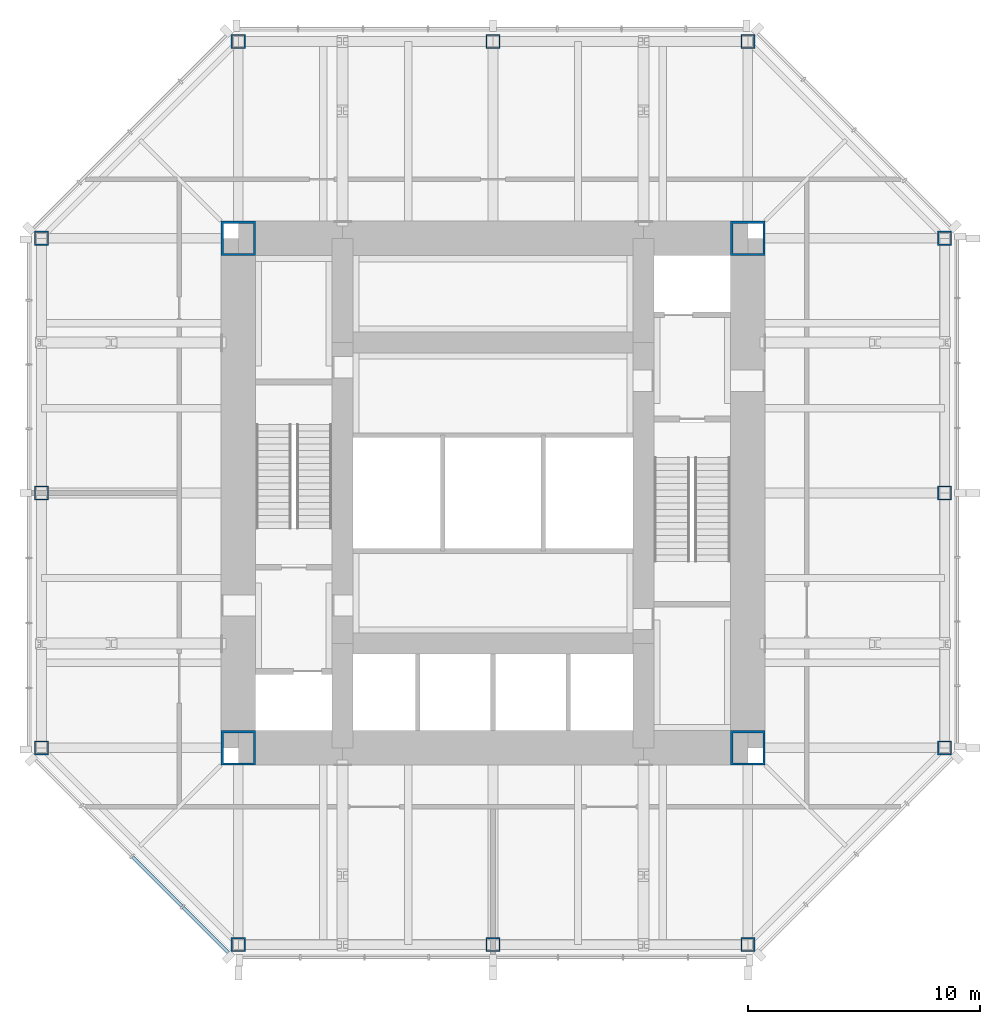
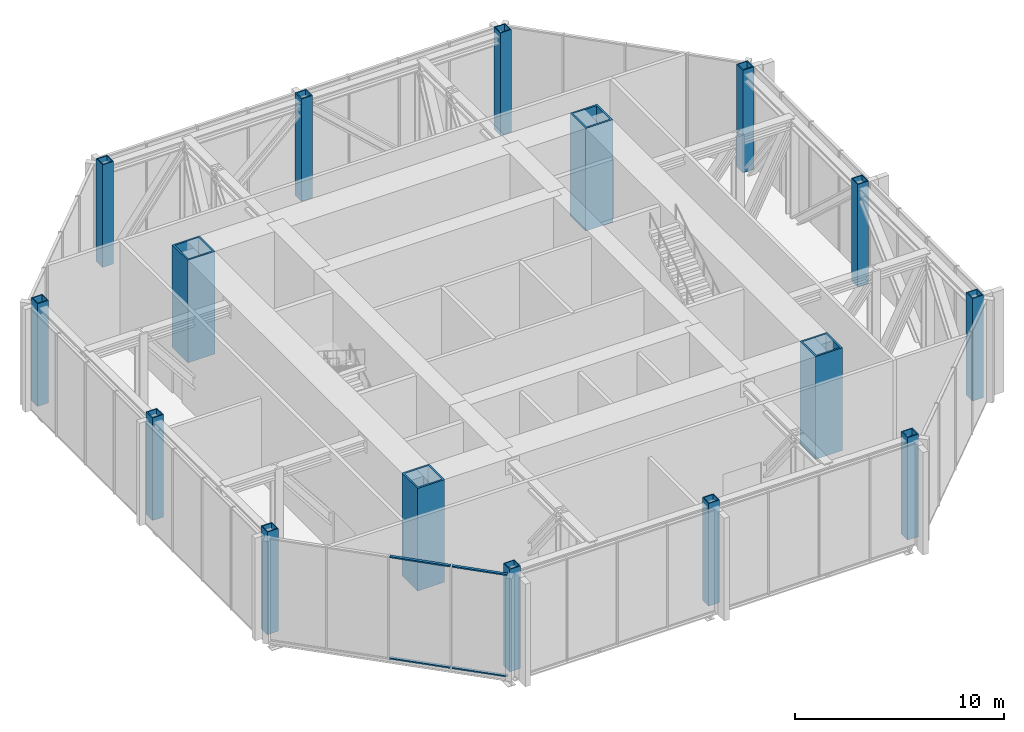
# One storey, part 1 of 11: 16 columns, 4 members, 1 element without a shape of its own.
"""IFC4 building model written with IfcOpenShell, lengths in metres."""

import ifcopenshell
import ifcopenshell.guid

model = None  # the IFC model being written
_history = None  # IfcOwnerHistory: only IFC2X3 demands one
_inside = {}  # id of a spatial element -> (the spatial element, [elements in it])
_under = {}  # id of a project, library or spatial element -> (it, [spatial elements below it])
_declared = {}  # id of a project -> (the project, [libraries it declares])
_typed = {}  # id of a type object -> (the type object, [elements of that type])
_made_of = {}  # id of a material, layer set ... -> (it, [elements and type objects made of it])


def new_model(schema):
    """Start an empty IFC model of exactly this schema.

    Asked for "IFC4X3", IfcOpenShell would pick the latest addendum, in which some entities
    have other attributes; the version numbers below select the first issue.
    IFC2X3 requires an IfcOwnerHistory on every rooted entity: one is made here for all.
    """
    global model, _history
    if schema == "IFC4X3":
        model = ifcopenshell.file(schema_version=(4, 3, 0, 0))
    else:
        model = ifcopenshell.file(schema=schema)
    _inside.clear()
    _under.clear()
    _declared.clear()
    _typed.clear()
    _made_of.clear()
    _history = None
    if model.schema == "IFC2X3":
        org = make("IfcOrganization", Name="unknown")
        user = make(
            "IfcPersonAndOrganization",
            ThePerson=make("IfcPerson", FamilyName="unknown"),
            TheOrganization=org,
        )
        app = make(
            "IfcApplication",
            ApplicationDeveloper=org,
            Version="unknown",
            ApplicationFullName="unknown",
            ApplicationIdentifier="unknown",
        )
        _history = make(
            "IfcOwnerHistory",
            OwningUser=user,
            OwningApplication=app,
            ChangeAction="ADDED",
            CreationDate=0,
        )
    return model


def make(cls, **values):
    """One entity of the class cls with the attributes given. An attribute that is None is left unset."""
    return model.create_entity(
        cls, **{name: value for name, value in values.items() if value is not None}
    )


def rooted(cls, **values):
    """An entity with a GlobalId (a new one), such as an element, a storey or a relation."""
    return make(cls, GlobalId=ifcopenshell.guid.new(), OwnerHistory=_history, **values)


def si_unit(unit_type, name, prefix=None):
    """IfcSIUnit, for example si_unit("LENGTHUNIT", "METRE", prefix="MILLI")."""
    return make("IfcSIUnit", UnitType=unit_type, Prefix=prefix, Name=name)


def assignment(units):
    """IfcUnitAssignment: the units of a project."""
    return None if units is None else make("IfcUnitAssignment", Units=units)


def point(xyz):
    """IfcCartesianPoint."""
    return None if xyz is None else make("IfcCartesianPoint", Coordinates=xyz)


def direction(xyz):
    """IfcDirection."""
    return None if xyz is None else make("IfcDirection", DirectionRatios=xyz)


def frame(location, z_axis=None, x_axis=None):
    """IfcAxis2Placement3D, a coordinate frame: its origin and axes. An axis left out is left unset."""
    return make(
        "IfcAxis2Placement3D",
        Location=point(location),
        Axis=direction(z_axis),
        RefDirection=direction(x_axis),
    )


def frame_2d(location, x_axis=None):
    """IfcAxis2Placement2D, a coordinate frame in the plane: its origin and x axis."""
    return make(
        "IfcAxis2Placement2D", Location=point(location), RefDirection=direction(x_axis)
    )


def origin():
    """The frame at (0, 0, 0) with its axes left unset."""
    return frame((0.0, 0.0, 0.0))


def origin_2d():
    """The frame at (0, 0) in the plane with its x axis left unset."""
    return frame_2d((0.0, 0.0))


def place(relative_to, where):
    """IfcLocalPlacement: puts the frame where relative to a parent placement (None: the world)."""
    return make(
        "IfcLocalPlacement", PlacementRelTo=relative_to, RelativePlacement=where
    )


def context(
    kind, dimensions, precision=None, world=None, true_north=None, identifier=None
):
    """IfcGeometricRepresentationContext, for example the 3D "Model" context."""
    return make(
        "IfcGeometricRepresentationContext",
        ContextIdentifier=identifier,
        ContextType=kind,
        CoordinateSpaceDimension=dimensions,
        Precision=precision,
        WorldCoordinateSystem=world,
        TrueNorth=true_north,
    )


def subcontext(parent, identifier, kind, view, scale=None):
    """IfcGeometricRepresentationSubContext, for example "Body" below "Model"."""
    return make(
        "IfcGeometricRepresentationSubContext",
        ContextIdentifier=identifier,
        ContextType=kind,
        ParentContext=parent,
        TargetScale=scale,
        TargetView=view,
    )


def project(units=None, contexts=None):
    """IfcProject with its units and contexts."""
    return rooted(
        "IfcProject",
        Name="project",
        RepresentationContexts=contexts,
        UnitsInContext=assignment(units),
    )


def spatial(cls, under=None, at=None, **own):
    """A site, building, storey or space (cls), placed at a placement, below another one or the project."""
    s = rooted(cls, ObjectPlacement=at, **own)
    if under is not None:
        _under.setdefault(under.id(), (under, []))[1].append(s)
    return s


def profile(cls, at=None, kind="AREA", **sizes):
    """A parametric profile (cls). Its sizes go by their IFC names, for example OverallWidth=200.0."""
    return make(cls, ProfileType=kind, Position=at, **sizes)


def rectangle(**sizes):
    """IfcRectangleProfileDef."""
    return profile("IfcRectangleProfileDef", **sizes)


def hollow_rectangle(**sizes):
    """IfcRectangleHollowProfileDef."""
    return profile("IfcRectangleHollowProfileDef", **sizes)


def extrude(swept, where, along, depth):
    """IfcExtrudedAreaSolid: the profile swept, set in the frame where, extruded along a direction by depth."""
    return make(
        "IfcExtrudedAreaSolid",
        SweptArea=swept,
        Position=where,
        ExtrudedDirection=direction(along),
        Depth=depth,
    )


def shape(context_of_items, identifier, shape_type, items):
    """IfcShapeRepresentation: the items that make up one representation, for example the "Body"."""
    return make(
        "IfcShapeRepresentation",
        ContextOfItems=context_of_items,
        RepresentationIdentifier=identifier,
        RepresentationType=shape_type,
        Items=items,
    )


def material(Name=None, Category=None):
    """IfcMaterial."""
    return make("IfcMaterial", Name=Name, Category=Category)


def material_profile(
    of_material, cross_section, Name=None, Category=None, Priority=None
):
    """IfcMaterialProfile: a cross section and its material."""
    return make(
        "IfcMaterialProfile",
        Name=Name,
        Material=of_material,
        Profile=cross_section,
        Priority=Priority,
        Category=Category,
    )


def profile_set(profiles, Name=None, composite=None):
    """IfcMaterialProfileSet."""
    return make(
        "IfcMaterialProfileSet",
        Name=Name,
        MaterialProfiles=profiles,
        CompositeProfile=composite,
    )


def made_of(thing, what):
    """Note that an element or type object is made of a material, layer set ...; save() writes the relation."""
    if what is not None:
        _made_of.setdefault(what.id(), (what, []))[1].append(thing)
    return thing


def type_object(cls, material=None, **own):
    """A type object (cls), such as IfcWallType, which elements share."""
    return made_of(rooted(cls, **own), material)


def element(
    cls,
    number,
    at=None,
    inside=None,
    cuts=None,
    type_object=None,
    material=None,
    context=None,
    identifier="Body",
    shape_type=None,
    held_by="IfcProductDefinitionShape",
    body=None,
    shapes=None,
    **own,
):
    """One element of the class cls, such as IfcWall. Its Tag is "e" and its number.

    at: its placement. inside: the storey or other place that contains it. cuts: it is an
    opening in that element (IfcRelVoidsElement). A single representation is given by context,
    identifier, shape_type and body (its items); several are given by shapes. held_by: the class
    of the entity that holds the representations. save() writes the other relations.
    """
    e = rooted(cls, Tag="e%d" % number, ObjectPlacement=at, **own)
    if body is not None:
        shapes = [shape(context, identifier, shape_type, body)]
    if shapes is not None:
        e.Representation = make(held_by, Representations=shapes)
    if inside is not None:
        _inside.setdefault(inside.id(), (inside, []))[1].append(e)
    if cuts is not None:
        rooted(
            "IfcRelVoidsElement", RelatingBuildingElement=cuts, RelatedOpeningElement=e
        )
    if type_object is not None:
        _typed.setdefault(type_object.id(), (type_object, []))[1].append(e)
    return made_of(e, material)


def aggregate(whole, parts):
    """IfcRelAggregates: a whole, such as a stair, and the parts it consists of."""
    return rooted("IfcRelAggregates", RelatingObject=whole, RelatedObjects=parts)


def save(model, path):
    """Write the relations noted so far, then the file.

    IfcRelAggregates (storeys below a building ...), IfcRelContainedInSpatialStructure (elements
    in a storey), IfcRelDefinesByType, IfcRelAssociatesMaterial and IfcRelDeclares: one each for
    every whole, place, type object, material and project.
    """
    for whole, parts in _under.values():
        aggregate(whole, parts)
    for where, things in _inside.values():
        rooted(
            "IfcRelContainedInSpatialStructure",
            RelatedElements=things,
            RelatingStructure=where,
        )
    for kind, things in _typed.values():
        rooted("IfcRelDefinesByType", RelatedObjects=things, RelatingType=kind)
    for what, things in _made_of.values():
        rooted("IfcRelAssociatesMaterial", RelatedObjects=things, RelatingMaterial=what)
    for by, libraries in _declared.values():
        rooted("IfcRelDeclares", RelatingContext=by, RelatedDefinitions=libraries)
    model.write(path)


model = new_model("IFC4")

# Units and contexts
model_context = context("Model", 3, precision=1e-05, world=origin(), true_north=direction((0.0, 1.0)))
body_context = subcontext(model_context, "Body", "Model", "MODEL_VIEW")
ifc_project = project(units=[si_unit("LENGTHUNIT", "METRE"), si_unit("AREAUNIT", "SQUARE_METRE"), si_unit("VOLUMEUNIT", "CUBIC_METRE"), si_unit("PLANEANGLEUNIT", "RADIAN"), si_unit("MASSUNIT", "GRAM", prefix="KILO")], contexts=[model_context])

# Site, building, storey
site_placement = place(None, origin())
site = spatial("IfcSite", under=ifc_project, at=site_placement, CompositionType="ELEMENT")
building_placement = place(site_placement, origin())
building = spatial("IfcBuilding", under=site, at=building_placement, Name="Trevanion Tower", CompositionType="ELEMENT")
storey_placement = place(building_placement, frame((0.0, 0.0, 257.199951171875)))
storey = spatial("IfcBuildingStorey", under=building, at=storey_placement, Name="L63", CompositionType="ELEMENT", Elevation=257.199951171875)

# Columns
ifc_material_1 = material(Name="Steel ASTM A572 Grade 50", Category="steel")
ifc_material_profile_1 = material_profile(ifc_material_1, hollow_rectangle(XDim=0.609619140625, YDim=0.609619140625, WallThickness=0.05078125, at=origin_2d()), Name="BOX24X24X2")
ifc_profile_set_1 = profile_set([ifc_material_profile_1], Name="Steel ASTM A572 Grade 50")
column_type_1 = type_object("IfcColumnType", Name="C5 BOX24X24X2", PredefinedType="COLUMN", material=ifc_profile_set_1)
for number, where, z_axis, x_axis, name in (
    (1, (-19.5, 0.0, 0.0), (0.0, 0.0, 1.0), (0.0, 1.0, 0.0), "C5 5/H L63"),
    (2, (-19.5, -11.0, 0.0), (0.0, 0.0, 1.0), (0.0, 1.0, 0.0), "C5 5/F L63"),
    (3, (-11.0, -19.5, 0.0), (0.0, 0.0, 1.0), (1.0, 0.0, 0.0), "C5 8/C L63"),
    (4, (0.0, -19.5, 0.0), (0.0, 0.0, 1.0), (1.0, 0.0, 0.0), "C5 10/C L63"),
    (5, (11.0, -19.5, 0.0), (0.0, 0.0, 1.0), (1.0, 0.0, 0.0), "C5 12/C L63"),
    (6, (19.5, -11.0, 0.0), (0.0, 0.0, 1.0), (0.0, 1.0, 0.0), "C5 15/F L63"),
    (7, (19.5, 0.0, 0.0), (0.0, 0.0, 1.0), (0.0, 1.0, 0.0), "C5 15/H L63"),
    (8, (19.5, 11.0, 0.0), (0.0, 0.0, 1.0), (0.0, 1.0, 0.0), "C5 15/K L63"),
    (9, (11.0, 19.5, 0.0), (0.0, 0.0, 1.0), (1.0, 0.0, 0.0), "C5 12/N L63"),
    (10, (0.0, 19.5, 0.0), (0.0, 0.0, 1.0), (1.0, 0.0, 0.0), "C5 10/N L63"),
    (11, (-11.0, 19.5, 0.0), (0.0, 0.0, 1.0), (1.0, 0.0, 0.0), "C5 8/N L63"),
    (12, (-19.5, 11.0, 0.0), (0.0, 0.0, 1.0), (0.0, 1.0, 0.0), "C5 5/K L63"),
):
    element("IfcColumn", number, at=place(storey_placement, frame(where, z_axis=z_axis, x_axis=x_axis)), inside=storey, type_object=column_type_1, Name=name, PredefinedType="COLUMN", context=body_context, shape_type="SweptSolid", body=[
        extrude(hollow_rectangle(XDim=0.609619140625, YDim=0.609619140625, WallThickness=0.05078125, at=origin_2d()), origin(), (0.0, 0.0, 1.0), 6.0),
    ])
ifc_material_2 = material(Name="Steel ASTM A572 Grade 50", Category="steel")
ifc_material_profile_2 = material_profile(ifc_material_2, hollow_rectangle(XDim=1.49853515625, YDim=1.49853515625, WallThickness=0.1015625, at=origin_2d()), Name="BOX59X59X4")
ifc_profile_set_2 = profile_set([ifc_material_profile_2], Name="Steel ASTM A572 Grade 50")
column_type_2 = type_object("IfcColumnType", Name="CB1 BOX59X59X4", PredefinedType="COLUMN", material=ifc_profile_set_2)
for number, where, z_axis, x_axis, name in (
    (13, (11.0, 11.0, 0.0), (0.0, 0.0, 1.0), (1.0, 0.0, 0.0), "CB1 NE L63"),
    (14, (-11.0, 11.0, 0.0), (0.0, 0.0, 1.0), (1.0, 0.0, 0.0), "CB1 NW L63"),
    (15, (-11.0, -11.0, 0.0), (0.0, 0.0, 1.0), (1.0, 0.0, 0.0), "CB1 SW L63"),
    (16, (11.0, -11.0, 0.0), (0.0, 0.0, 1.0), (1.0, 0.0, 0.0), "CB1 SE L63"),
):
    element("IfcColumn", number, at=place(storey_placement, frame(where, z_axis=z_axis, x_axis=x_axis)), inside=storey, type_object=column_type_2, Name=name, PredefinedType="COLUMN", context=body_context, shape_type="SweptSolid", body=[
        extrude(hollow_rectangle(XDim=1.49853515625, YDim=1.49853515625, WallThickness=0.1015625, at=origin_2d()), origin(), (0.0, 0.0, 1.0), 6.0),
    ])

# Curtain wall, members
ifc_material_3 = material(Name="Aluminium louvres", Category="aluminium")
curtain_wall_type = type_object("IfcCurtainWallType", Name="CWL curtain wall", PredefinedType="USERDEFINED", material=ifc_material_3)
curtain_wall_placement = place(storey_placement, origin())
curtain_wall = element("IfcCurtainWall", 17, at=curtain_wall_placement, inside=storey, type_object=curtain_wall_type, Name="CWL L63 5", ObjectType="LOUVRE SCREEN", PredefinedType="USERDEFINED")
ifc_material_4 = material(Name="Aluminium extrusion, anodised bronze", Category="aluminium")
ifc_material_profile_3 = material_profile(ifc_material_4, rectangle(XDim=0.14990234375, YDim=0.074951171875, at=origin_2d()), Name="CWL transom")
ifc_profile_set_3 = profile_set([ifc_material_profile_3], Name="Aluminium extrusion, anodised bronze")
member_type = type_object("IfcMemberType", Name="CWL transom", PredefinedType="USERDEFINED", material=ifc_profile_set_3)
member_1_placement = place(storey_placement, frame((-15.56640625, -15.71142578125, -0.15234375), z_axis=(0.707106781187, -0.707106781187, 0.0), x_axis=(0.707106781187, 0.707106781187, 0.0)))
member_1 = element("IfcMember", 18, at=member_1_placement, type_object=member_type, Name="CWL transom 3.1", ObjectType="TRANSOM", PredefinedType="USERDEFINED", context=body_context, shape_type="SweptSolid", body=[
    extrude(rectangle(XDim=0.14990234375, YDim=0.074951171875, at=origin_2d()), origin(), (0.0, 0.0, 1.0), 3.011474609375),
])
member_2_placement = place(storey_placement, frame((-15.56640625, -15.71142578125, 5.7724609375), z_axis=(0.707106781187, -0.707106781187, 0.0), x_axis=(0.707106781187, 0.707106781187, 0.0)))
member_2 = element("IfcMember", 19, at=member_2_placement, type_object=member_type, Name="CWL transom 3.2", ObjectType="TRANSOM", PredefinedType="USERDEFINED", context=body_context, shape_type="SweptSolid", body=[
    extrude(rectangle(XDim=0.14990234375, YDim=0.074951171875, at=origin_2d()), origin(), (0.0, 0.0, 1.0), 3.011474609375),
])
member_3_placement = place(storey_placement, frame((-13.3837890625, -17.89404296875, -0.15234375), z_axis=(0.707106781187, -0.707106781187, 0.0), x_axis=(0.707106781187, 0.707106781187, 0.0)))
member_3 = element("IfcMember", 20, at=member_3_placement, type_object=member_type, Name="CWL transom 4.1", ObjectType="TRANSOM", PredefinedType="USERDEFINED", context=body_context, shape_type="SweptSolid", body=[
    extrude(rectangle(XDim=0.14990234375, YDim=0.074951171875, at=origin_2d()), origin(), (0.0, 0.0, 1.0), 2.7490234375),
])
member_4_placement = place(storey_placement, frame((-13.3837890625, -17.89404296875, 5.7724609375), z_axis=(0.707106781187, -0.707106781187, 0.0), x_axis=(0.707106781187, 0.707106781187, 0.0)))
member_4 = element("IfcMember", 21, at=member_4_placement, type_object=member_type, Name="CWL transom 4.2", ObjectType="TRANSOM", PredefinedType="USERDEFINED", context=body_context, shape_type="SweptSolid", body=[
    extrude(rectangle(XDim=0.14990234375, YDim=0.074951171875, at=origin_2d()), origin(), (0.0, 0.0, 1.0), 2.7490234375),
])
aggregate(curtain_wall, [member_1, member_2, member_3, member_4])

save(model, "model.ifc")
